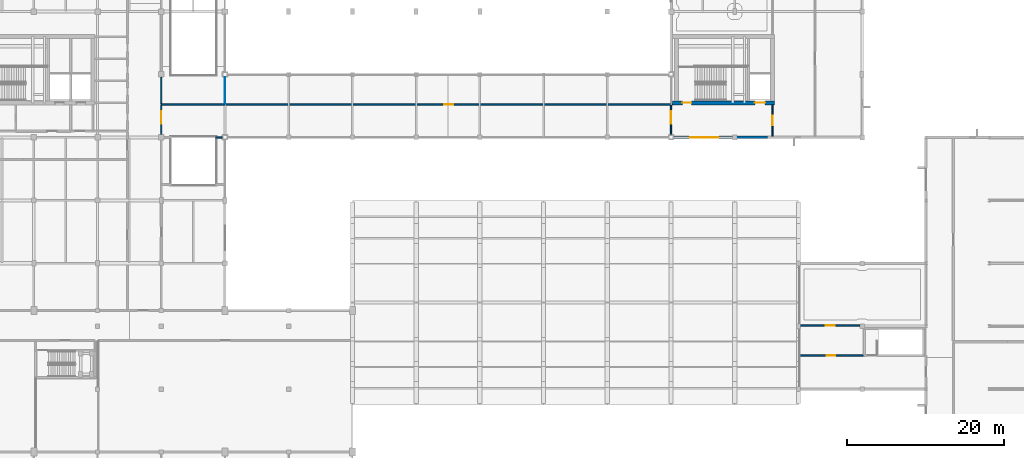
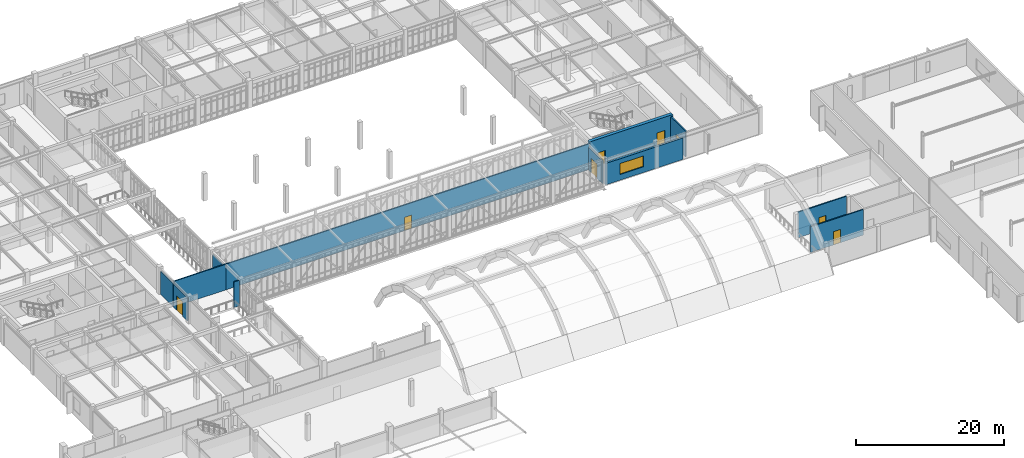
# One storey, part 49 of 67: 12 walls, 8 doors, 1 window, 9 openings.
"""IFC4 building model written with IfcOpenShell, lengths in metres."""

from ifc_helpers import new_model, si_unit, direction, frame, frame_2d, origin, place, context, subcontext, project, spatial, rectangle, extrude, material, layer, layer_set, type_object, element, fill, save


model = new_model("IFC4")

# Units and contexts
model_context = context("Model", 3, precision=1e-05, world=origin(), true_north=direction((0.0, 1.0)))
body_context = subcontext(model_context, "Body", "Model", "MODEL_VIEW")
ifc_project = project(units=[si_unit("LENGTHUNIT", "METRE"), si_unit("AREAUNIT", "SQUARE_METRE"), si_unit("VOLUMEUNIT", "CUBIC_METRE"), si_unit("PLANEANGLEUNIT", "RADIAN"), si_unit("MASSUNIT", "GRAM", prefix="KILO")], contexts=[model_context])

# Site, building, storey
site_placement = place(None, origin())
site = spatial("IfcSite", under=ifc_project, at=site_placement, CompositionType="ELEMENT")
building_placement = place(site_placement, origin())
building = spatial("IfcBuilding", under=site, at=building_placement, Name="Tarnveldt Square Police Headquarters", CompositionType="ELEMENT")
storey_placement = place(building_placement, frame((0.0, 0.0, 10.199951171875)))
storey = spatial("IfcBuildingStorey", under=building, at=storey_placement, Name="L02", CompositionType="ELEMENT", Elevation=10.199951171875)

# Wall, openings, doors
ifc_material_1 = material(Name="Concrete 50 MPa", Category="concrete")
ifc_layer_1 = layer(ifc_material_1, 0.5)
ifc_layer_set_1 = layer_set([ifc_layer_1], Name="Concrete 50 MPa")
wall_type_1 = type_object("IfcWallType", Name="WL-CORE-500", PredefinedType="SHEAR", material=ifc_layer_set_1)
wall_1_placement = place(storey_placement, frame((105.47998046875, 60.39990234375, 0.0), z_axis=(0.0, 0.0, 1.0), x_axis=(1.0, 0.0, 0.0)))
wall_1 = element("IfcWall", 1, at=wall_1_placement, inside=storey, type_object=wall_type_1, Name="Core K4 East Custody and Tactical Core L02 South Shear Wall", PredefinedType="SHEAR", context=body_context, shape_type="SweptSolid", body=[
    extrude(rectangle(XDim=12.969970703125, YDim=0.5, at=frame_2d((6.48486328125, 0.0))), origin(), (0.0, 0.0, 1.0), 4.5),
])
opening_1_placement = place(wall_1_placement, frame((1.27001953125, 0.0, 0.0)))
opening_1 = element("IfcOpeningElement", 2, at=opening_1_placement, cuts=wall_1, Name="Opening D-ST4-L02", PredefinedType="OPENING", context=body_context, shape_type="SweptSolid", body=[
    extrude(rectangle(XDim=1.14990234375, YDim=2.25, at=frame_2d((0.574951171875, 1.125))), frame((0.0, 0.260009765625, 0.0), z_axis=(0.0, -1.0, 0.0), x_axis=(1.0, 0.0, 0.0)), (0.0, 0.0, 1.0), 0.52001953125),
])
opening_2_placement = place(wall_1_placement, frame((10.47509765625, 0.0, 0.0)))
opening_2 = element("IfcOpeningElement", 3, at=opening_2_placement, cuts=wall_1, Name="Opening LD-LS1-L02", PredefinedType="OPENING", context=body_context, shape_type="SweptSolid", body=[
    extrude(rectangle(XDim=1.300048828125, YDim=2.300048828125, at=frame_2d((0.64990234375, 1.14990234375))), frame((0.0, 0.260009765625, 0.0), z_axis=(0.0, -1.0, 0.0), x_axis=(1.0, 0.0, 0.0)), (0.0, 0.0, 1.0), 0.52001953125),
])
ifc_material_2 = material(Name="Insulated hollow metal steel door leaf", Category="steel")
door_type_1 = type_object("IfcDoorType", Name="DR-FD90-1150", OperationType="NOTDEFINED", PredefinedType="DOOR", material=ifc_material_2)
door_1_placement = place(opening_1_placement, origin())
door_1 = element("IfcDoor", 4, at=door_1_placement, inside=storey, type_object=door_type_1, Name="Exit Stair ST4 L02 Fire Door", OperationType="SINGLE_SWING_RIGHT", OverallHeight=2.25, OverallWidth=1.14990234375, PredefinedType="DOOR", context=body_context, shape_type="SweptSolid", body=[
    extrude(rectangle(XDim=1.14990234375, YDim=2.25, at=frame_2d((0.574951171875, 1.125))), frame((0.0, 0.02490234375, 0.0), z_axis=(0.0, -1.0, 0.0), x_axis=(1.0, 0.0, 0.0)), (0.0, 0.0, 1.0), 0.050048828125),
])
fill(opening_1, door_1)
ifc_material_3 = material(Name="Steel 350W", Category="steel")
door_type_2 = type_object("IfcDoorType", Name="DR-LD-1300", OperationType="DOUBLE_DOOR_SLIDING", PredefinedType="DOOR", material=ifc_material_3)
door_2_placement = place(opening_2_placement, frame((1.300048828125, 0.0, 0.0), z_axis=(0.0, 0.0, 1.0), x_axis=(-1.0, 0.0, 0.0)))
door_2 = element("IfcDoor", 5, at=door_2_placement, inside=storey, type_object=door_type_2, Name="Elevator LS1 L02 Sliding Landing Door", OperationType="DOUBLE_DOOR_SLIDING", OverallHeight=2.300048828125, OverallWidth=1.300048828125, PredefinedType="DOOR", context=body_context, shape_type="SweptSolid", body=[
    extrude(rectangle(XDim=1.300048828125, YDim=2.300048828125, at=frame_2d((0.64990234375, 1.14990234375))), frame((0.0, 0.02490234375, 0.0), z_axis=(0.0, -1.0, 0.0), x_axis=(1.0, 0.0, 0.0)), (0.0, 0.0, 1.0), 0.050048828125),
])
fill(opening_2, door_2)

# Wall, opening, window
ifc_material_4 = material(Name="Concrete 40 MPa", Category="concrete")
ifc_layer_2 = layer(ifc_material_4, 0.320068359375)
ifc_layer_set_2 = layer_set([ifc_layer_2], Name="Concrete 40 MPa")
wall_type_2 = type_object("IfcWallType", Name="WL-EXT-BH320", PredefinedType="SOLIDWALL", material=ifc_layer_set_2)
wall_2_placement = place(storey_placement, frame((105.47998046875, 56.0, 0.0), z_axis=(0.0, 0.0, 1.0), x_axis=(1.0, 0.0, 0.0)))
wall_2 = element("IfcWall", 6, at=wall_2_placement, inside=storey, type_object=wall_type_2, Name="L02 Brutalist Exterior Wall 0121", PredefinedType="SOLIDWALL", context=body_context, shape_type="SweptSolid", body=[
    extrude(rectangle(XDim=12.06005859375, YDim=0.320068359375, at=frame_2d((6.030029296875, 0.0))), origin(), (0.0, 0.0, 1.0), 3.5439453125),
])
opening_3_placement = place(wall_2_placement, frame((2.25, 0.0, 0.949951171875)))
opening_3 = element("IfcOpeningElement", 7, at=opening_3_placement, cuts=wall_2, Name="Opening W19", PredefinedType="OPENING", context=body_context, shape_type="SweptSolid", body=[
    extrude(rectangle(XDim=3.60009765625, YDim=1.800048828125, at=frame_2d((1.800048828125, 0.89990234375))), frame((0.0, 0.169921875, 0.0), z_axis=(0.0, -1.0, 0.0), x_axis=(1.0, 0.0, 0.0)), (0.0, 0.0, 1.0), 0.340087890625),
])
ifc_material_5 = material(Name="Triple-glazed low-e laminated vision glass", Category="glass")
window_type = type_object("IfcWindowType", Name="WIN-DR-360x180", PartitioningType="TRIPLE_PANEL_VERTICAL", PredefinedType="WINDOW", material=ifc_material_5)
window_placement = place(opening_3_placement, origin())
window = element("IfcWindow", 8, at=window_placement, inside=storey, type_object=window_type, Name="L02 Deep-Reveal Brutalist Window 0043", OverallHeight=1.800048828125, OverallWidth=3.60009765625, PartitioningType="TRIPLE_PANEL_VERTICAL", PredefinedType="WINDOW", context=body_context, shape_type="SweptSolid", body=[
    extrude(rectangle(XDim=3.60009765625, YDim=1.800048828125, at=frame_2d((1.800048828125, 0.89990234375))), frame((0.0, 0.030029296875, 0.0), z_axis=(0.0, -1.0, 0.0), x_axis=(1.0, 0.0, 0.0)), (0.0, 0.0, 1.0), 0.06005859375),
])
fill(opening_3, window)

# Walls
ifc_material_6 = material(Name="Fire-rated Type X gypsum board on steel studs", Category="steel")
ifc_layer_3 = layer(ifc_material_6, 0.179931640625)
ifc_layer_set_3 = layer_set([ifc_layer_3], Name="Fire-rated Type X gypsum board on steel studs")
wall_type_3 = type_object("IfcWallType", Name="WL-FIRE-180", PredefinedType="PARTITIONING", material=ifc_layer_set_3)
wall_3_placement = place(storey_placement, frame((47.409912109375, 56.0, 0.0), z_axis=(0.0, 0.0, 1.0), x_axis=(1.0, 0.0, 0.0)))
element("IfcWall", 9, at=wall_3_placement, inside=storey, type_object=wall_type_3, Name="L02 Interior Partition Wall 0360", PredefinedType="PARTITIONING", context=body_context, shape_type="SweptSolid", body=[
    extrude(rectangle(XDim=0.83203125, YDim=0.179931640625, at=frame_2d((0.416015625, 0.0))), origin(), (0.0, 0.0, 1.0), 4.239990234375),
])
wall_4_placement = place(storey_placement, frame((40.5, 60.199951171875, 0.0), z_axis=(0.0, 0.0, 1.0), x_axis=(1.0, 0.0, 0.0)))
element("IfcWall", 10, at=wall_4_placement, inside=storey, type_object=wall_type_3, Name="L02 Interior Partition Wall 0361", PredefinedType="PARTITIONING", context=body_context, shape_type="SweptSolid", body=[
    extrude(rectangle(XDim=8.10009765625, YDim=0.179931640625, at=frame_2d((4.050048828125, 0.0))), origin(), (0.0, 0.0, 1.0), 4.239990234375),
])

# Wall, opening, door
wall_5_placement = place(storey_placement, frame((48.60009765625, 60.199951171875, 0.0), z_axis=(0.0, 0.0, 1.0), x_axis=(1.0, 0.0, 0.0)))
wall_5 = element("IfcWall", 11, at=wall_5_placement, inside=storey, type_object=wall_type_3, Name="L02 Interior Partition Wall 0366", PredefinedType="PARTITIONING", context=body_context, shape_type="SweptSolid", body=[
    extrude(rectangle(XDim=56.871826171875, YDim=0.179931640625, at=frame_2d((28.43603515625, 0.0))), origin(), (0.0, 0.0, 1.0), 4.239990234375),
])
opening_4_placement = place(wall_5_placement, frame((27.885986328125, 0.0, 0.0)))
opening_4 = element("IfcOpeningElement", 12, at=opening_4_placement, cuts=wall_5, Name="Opening D07", PredefinedType="OPENING", context=body_context, shape_type="SweptSolid", body=[
    extrude(rectangle(XDim=1.10009765625, YDim=2.199951171875, at=frame_2d((0.550048828125, 1.10009765625))), frame((0.0, 0.099853515625, 0.0), z_axis=(0.0, -1.0, 0.0), x_axis=(1.0, 0.0, 0.0)), (0.0, 0.0, 1.0), 0.199951171875),
])
ifc_material_7 = material(Name="Solid core architectural birch door leaf", Category="wood")
door_type_3 = type_object("IfcDoorType", Name="DR-INT-1100", OperationType="NOTDEFINED", PredefinedType="DOOR", material=ifc_material_7)
door_3_placement = place(opening_4_placement, origin())
door_3 = element("IfcDoor", 13, at=door_3_placement, inside=storey, type_object=door_type_3, Name="South Skybridge Overlook Gallery Door", OperationType="SINGLE_SWING_RIGHT", OverallHeight=2.199951171875, OverallWidth=1.10009765625, PredefinedType="DOOR", context=body_context, shape_type="SweptSolid", body=[
    extrude(rectangle(XDim=1.10009765625, YDim=2.199951171875, at=frame_2d((0.550048828125, 1.10009765625))), frame((0.0, 0.02490234375, 0.0), z_axis=(0.0, -1.0, 0.0), x_axis=(1.0, 0.0, 0.0)), (0.0, 0.0, 1.0), 0.050048828125),
])
fill(opening_4, door_3)

wall_6_placement = place(storey_placement, frame((121.510009765625, 28.260009765625, 0.0), z_axis=(0.0, 0.0, 1.0), x_axis=(1.0, 0.0, 0.0)))
wall_6 = element("IfcWall", 14, at=wall_6_placement, inside=storey, type_object=wall_type_3, Name="L02 Interior Partition Wall 0372", PredefinedType="PARTITIONING", context=body_context, shape_type="SweptSolid", body=[
    extrude(rectangle(XDim=8.25, YDim=0.179931640625, at=frame_2d((4.125, 0.0))), origin(), (0.0, 0.0, 1.0), 4.239990234375),
])
opening_5_placement = place(wall_6_placement, frame((3.574951171875, 0.0, 0.0)))
opening_5 = element("IfcOpeningElement", 15, at=opening_5_placement, cuts=wall_6, Name="Opening D15", PredefinedType="OPENING", context=body_context, shape_type="SweptSolid", body=[
    extrude(rectangle(XDim=1.10009765625, YDim=2.199951171875, at=frame_2d((0.550048828125, 1.10009765625))), frame((0.0, 0.099853515625, 0.0), z_axis=(0.0, -1.0, 0.0), x_axis=(1.0, 0.0, 0.0)), (0.0, 0.0, 1.0), 0.199951171875),
])
door_type_4 = type_object("IfcDoorType", Name="DR-FD60-1100", OperationType="NOTDEFINED", PredefinedType="DOOR", material=ifc_material_2)
door_4_placement = place(opening_5_placement, origin())
door_4 = element("IfcDoor", 16, at=door_4_placement, inside=storey, type_object=door_type_4, Name="East Classroom Vestibule Lobby L02 Door", OperationType="SINGLE_SWING_RIGHT", OverallHeight=2.199951171875, OverallWidth=1.10009765625, PredefinedType="DOOR", context=body_context, shape_type="SweptSolid", body=[
    extrude(rectangle(XDim=1.10009765625, YDim=2.199951171875, at=frame_2d((0.550048828125, 1.10009765625))), frame((0.0, 0.02490234375, 0.0), z_axis=(0.0, -1.0, 0.0), x_axis=(1.0, 0.0, 0.0)), (0.0, 0.0, 1.0), 0.050048828125),
])
fill(opening_5, door_4)

wall_7_placement = place(storey_placement, frame((121.782958984375, 32.10009765625, 0.0), z_axis=(0.0, 0.0, 1.0), x_axis=(1.0, 0.0, 0.0)))
wall_7 = element("IfcWall", 17, at=wall_7_placement, inside=storey, type_object=wall_type_3, Name="L02 Interior Partition Wall 0373", PredefinedType="PARTITIONING", context=body_context, shape_type="SweptSolid", body=[
    extrude(rectangle(XDim=7.533935546875, YDim=0.179931640625, at=frame_2d((3.76708984375, 0.0))), origin(), (0.0, 0.0, 1.0), 4.239990234375),
])
opening_6_placement = place(wall_7_placement, frame((3.217041015625, 0.0, 0.0)))
opening_6 = element("IfcOpeningElement", 18, at=opening_6_placement, cuts=wall_7, Name="Opening D07", PredefinedType="OPENING", context=body_context, shape_type="SweptSolid", body=[
    extrude(rectangle(XDim=1.10009765625, YDim=2.199951171875, at=frame_2d((0.550048828125, 1.10009765625))), frame((0.0, 0.099853515625, 0.0), z_axis=(0.0, -1.0, 0.0), x_axis=(1.0, 0.0, 0.0)), (0.0, 0.0, 1.0), 0.199951171875),
])
door_5_placement = place(opening_6_placement, origin())
door_5 = element("IfcDoor", 19, at=door_5_placement, inside=storey, type_object=door_type_3, Name="Use-of-Force Classroom Briefing Room Door", OperationType="SINGLE_SWING_LEFT", OverallHeight=2.199951171875, OverallWidth=1.10009765625, PredefinedType="DOOR", context=body_context, shape_type="SweptSolid", body=[
    extrude(rectangle(XDim=1.10009765625, YDim=2.199951171875, at=frame_2d((0.550048828125, 1.10009765625))), frame((0.0, 0.02490234375, 0.0), z_axis=(0.0, -1.0, 0.0), x_axis=(1.0, 0.0, 0.0)), (0.0, 0.0, 1.0), 0.050048828125),
])
fill(opening_6, door_5)

wall_8_placement = place(storey_placement, frame((40.5, 56.35791015625, 0.0), z_axis=(0.0, 0.0, 1.0), x_axis=(0.0, 1.0, 0.0)))
wall_8 = element("IfcWall", 20, at=wall_8_placement, inside=storey, type_object=wall_type_3, Name="L02 Interior Partition Wall 0403", PredefinedType="PARTITIONING", context=body_context, shape_type="SweptSolid", body=[
    extrude(rectangle(XDim=3.744140625, YDim=0.179931640625, at=frame_2d((1.8720703125, 0.0))), origin(), (0.0, 0.0, 1.0), 3.76904296875),
])
opening_7_placement = place(wall_8_placement, frame((1.37158203125, 0.0, 0.0)))
opening_7 = element("IfcOpeningElement", 21, at=opening_7_placement, cuts=wall_8, Name="Opening D23", PredefinedType="OPENING", context=body_context, shape_type="SweptSolid", body=[
    extrude(rectangle(XDim=1.60009765625, YDim=2.35009765625, at=frame_2d((0.800048828125, 1.175048828125))), frame((0.0, 0.099853515625, 0.0), z_axis=(0.0, -1.0, 0.0), x_axis=(1.0, 0.0, 0.0)), (0.0, 0.0, 1.0), 0.199951171875),
])
door_type_5 = type_object("IfcDoorType", Name="DR-PAIR-1600", OperationType="DOUBLE_DOOR_SINGLE_SWING", PredefinedType="DOOR", material=ifc_material_7)
door_6_placement = place(opening_7_placement, frame((1.60009765625, 0.0, 0.0), z_axis=(0.0, 0.0, 1.0), x_axis=(-1.0, 0.0, 0.0)))
door_6 = element("IfcDoor", 22, at=door_6_placement, inside=storey, type_object=door_type_5, Name="South Courtyard Glazed Skybridge Corridor Door", OperationType="DOUBLE_DOOR_SINGLE_SWING", OverallHeight=2.35009765625, OverallWidth=1.60009765625, PredefinedType="DOOR", context=body_context, shape_type="SweptSolid", body=[
    extrude(rectangle(XDim=1.60009765625, YDim=2.35009765625, at=frame_2d((0.800048828125, 1.175048828125))), frame((0.0, 0.02490234375, 0.0), z_axis=(0.0, -1.0, 0.0), x_axis=(1.0, 0.0, 0.0)), (0.0, 0.0, 1.0), 0.050048828125),
])
fill(opening_7, door_6)

# Wall
wall_9_placement = place(storey_placement, frame((40.5, 60.298095703125, 0.0), z_axis=(0.0, 0.0, 1.0), x_axis=(0.0, 1.0, 0.0)))
element("IfcWall", 23, at=wall_9_placement, inside=storey, type_object=wall_type_3, Name="L02 Interior Partition Wall 0404", PredefinedType="PARTITIONING", context=body_context, shape_type="SweptSolid", body=[
    extrude(rectangle(XDim=3.343994140625, YDim=0.179931640625, at=frame_2d((1.671875, 0.0))), origin(), (0.0, 0.0, 1.0), 3.76904296875),
])

# Wall, opening, door
wall_10_placement = place(storey_placement, frame((105.300048828125, 56.35791015625, 0.0), z_axis=(0.0, 0.0, 1.0), x_axis=(0.0, 1.0, 0.0)))
wall_10 = element("IfcWall", 24, at=wall_10_placement, inside=storey, type_object=wall_type_3, Name="L02 Interior Partition Wall 0423", PredefinedType="PARTITIONING", context=body_context, shape_type="SweptSolid", body=[
    extrude(rectangle(XDim=3.744140625, YDim=0.179931640625, at=frame_2d((1.8720703125, 0.0))), origin(), (0.0, 0.0, 1.0), 3.76904296875),
])
opening_8_placement = place(wall_10_placement, frame((1.37158203125, 0.0, 0.0)))
opening_8 = element("IfcOpeningElement", 25, at=opening_8_placement, cuts=wall_10, Name="Opening D23", PredefinedType="OPENING", context=body_context, shape_type="SweptSolid", body=[
    extrude(rectangle(XDim=1.60009765625, YDim=2.35009765625, at=frame_2d((0.800048828125, 1.175048828125))), frame((0.0, 0.099853515625, 0.0), z_axis=(0.0, -1.0, 0.0), x_axis=(1.0, 0.0, 0.0)), (0.0, 0.0, 1.0), 0.199951171875),
])
door_7_placement = place(opening_8_placement, origin())
door_7 = element("IfcDoor", 26, at=door_7_placement, inside=storey, type_object=door_type_5, Name="South Courtyard Glazed Skybridge Corridor Secondary Door", OperationType="DOUBLE_DOOR_SINGLE_SWING", OverallHeight=2.35009765625, OverallWidth=1.60009765625, PredefinedType="DOOR", context=body_context, shape_type="SweptSolid", body=[
    extrude(rectangle(XDim=1.60009765625, YDim=2.35009765625, at=frame_2d((0.800048828125, 1.175048828125))), frame((0.0, 0.02490234375, 0.0), z_axis=(0.0, -1.0, 0.0), x_axis=(1.0, 0.0, 0.0)), (0.0, 0.0, 1.0), 0.050048828125),
])
fill(opening_8, door_7)

wall_11_placement = place(storey_placement, frame((118.199951171875, 56.16796875, 0.0), z_axis=(0.0, 0.0, 1.0), x_axis=(0.0, 1.0, 0.0)))
wall_11 = element("IfcWall", 27, at=wall_11_placement, inside=storey, type_object=wall_type_3, Name="L02 Interior Partition Wall 0424", PredefinedType="PARTITIONING", context=body_context, shape_type="SweptSolid", body=[
    extrude(rectangle(XDim=3.97412109375, YDim=0.179931640625, at=frame_2d((1.987060546875, 0.0))), origin(), (0.0, 0.0, 1.0), 4.239990234375),
])
opening_9_placement = place(wall_11_placement, frame((1.386962890625, 0.0, 0.0)))
opening_9 = element("IfcOpeningElement", 28, at=opening_9_placement, cuts=wall_11, Name="Opening D16", PredefinedType="OPENING", context=body_context, shape_type="SweptSolid", body=[
    extrude(rectangle(XDim=1.199951171875, YDim=2.199951171875, at=frame_2d((0.60009765625, 1.10009765625))), frame((0.0, 0.099853515625, 0.0), z_axis=(0.0, -1.0, 0.0), x_axis=(1.0, 0.0, 0.0)), (0.0, 0.0, 1.0), 0.199951171875),
])
door_type_6 = type_object("IfcDoorType", Name="DR-FD60-1200", OperationType="NOTDEFINED", PredefinedType="DOOR", material=ifc_material_2)
door_8_placement = place(opening_9_placement, frame((1.199951171875, 0.0, 0.0), z_axis=(0.0, 0.0, 1.0), x_axis=(-1.0, 0.0, 0.0)))
door_8 = element("IfcDoor", 29, at=door_8_placement, inside=storey, type_object=door_type_6, Name="Core Lift Lobby K4-L02 Door", OperationType="SINGLE_SWING_LEFT", OverallHeight=2.199951171875, OverallWidth=1.199951171875, PredefinedType="DOOR", context=body_context, shape_type="SweptSolid", body=[
    extrude(rectangle(XDim=1.199951171875, YDim=2.199951171875, at=frame_2d((0.60009765625, 1.10009765625))), frame((0.0, 0.02490234375, 0.0), z_axis=(0.0, -1.0, 0.0), x_axis=(1.0, 0.0, 0.0)), (0.0, 0.0, 1.0), 0.050048828125),
])
fill(opening_9, door_8)

# Wall
ifc_layer_4 = layer(ifc_material_6, 0.1201171875)
ifc_layer_set_4 = layer_set([ifc_layer_4], Name="Fire-rated Type X gypsum board on steel studs")
wall_type_4 = type_object("IfcWallType", Name="WL-PART-120", PredefinedType="PARTITIONING", material=ifc_layer_set_4)
wall_12_placement = place(storey_placement, frame((48.60009765625, 60.298095703125, 0.0), z_axis=(0.0, 0.0, 1.0), x_axis=(0.0, 1.0, 0.0)))
element("IfcWall", 30, at=wall_12_placement, inside=storey, type_object=wall_type_4, Name="L02 Interior Partition Wall 0414", PredefinedType="PARTITIONING", context=body_context, shape_type="SweptSolid", body=[
    extrude(rectangle(XDim=3.343994140625, YDim=0.1201171875, at=frame_2d((1.671875, 0.0))), origin(), (0.0, 0.0, 1.0), 3.73193359375),
])

save(model, "model.ifc")
